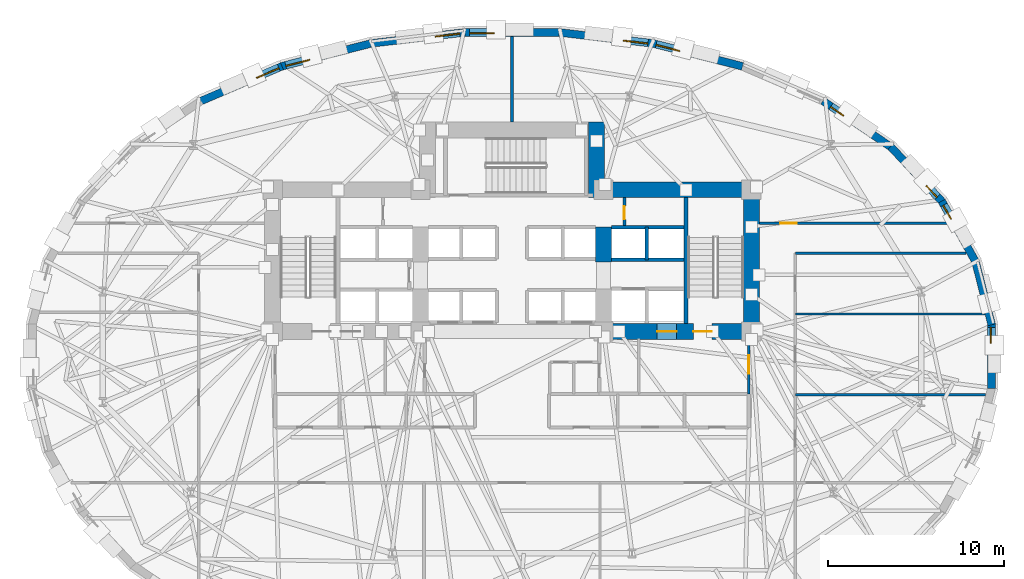
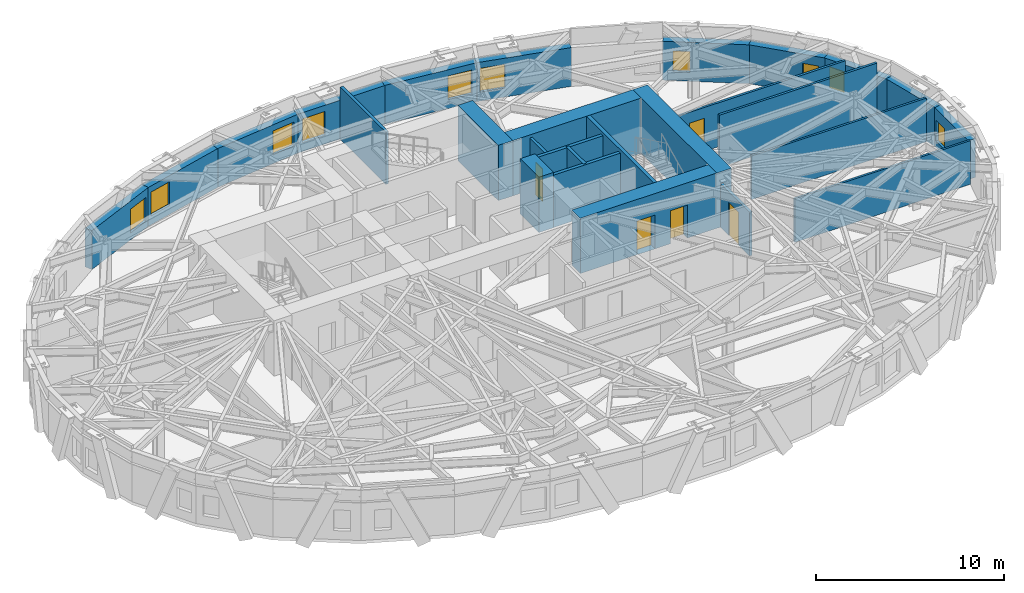
# One storey, part 9 of 14: 27 walls, 10 windows, 5 doors, 15 openings.
"""IFC4 building model written with IfcOpenShell, lengths in metres."""

from ifc_helpers import new_model, si_unit, direction, frame, frame_2d, origin, place, context, subcontext, project, spatial, rectangle, extrude, material, layer, layer_set, type_object, element, fill, save


model = new_model("IFC4")

# Units and contexts
model_context = context("Model", 3, precision=1e-05, world=origin(), true_north=direction((0.0, 1.0)))
body_context = subcontext(model_context, "Body", "Model", "MODEL_VIEW")
ifc_project = project(units=[si_unit("LENGTHUNIT", "METRE"), si_unit("AREAUNIT", "SQUARE_METRE"), si_unit("VOLUMEUNIT", "CUBIC_METRE"), si_unit("PLANEANGLEUNIT", "RADIAN"), si_unit("MASSUNIT", "GRAM", prefix="KILO")], contexts=[model_context])

# Site, building, storey
site_placement = place(None, origin())
site = spatial("IfcSite", under=ifc_project, at=site_placement, CompositionType="ELEMENT")
building_placement = place(site_placement, origin())
building = spatial("IfcBuilding", under=site, at=building_placement, Name="Keldmark Tower", CompositionType="ELEMENT")
storey_placement = place(building_placement, frame((0.0, 0.0, 41.39990234375)))
storey = spatial("IfcBuildingStorey", under=building, at=storey_placement, Name="L10", CompositionType="ELEMENT", Elevation=41.39990234375)

# Wall, opening, door
ifc_material_1 = material(Name="Acoustic Double-Layer Gypsum Corridor Partition", Category="gypsum")
ifc_layer_1 = layer(ifc_material_1, 0.139892578125)
ifc_layer_set_1 = layer_set([ifc_layer_1], Name="Acoustic Double-Layer Gypsum Corridor Partition")
wall_type_1 = type_object("IfcWallType", Name="Acoustic Corridor Partition 140 mm", PredefinedType="PARTITIONING", material=ifc_layer_set_1)
wall_1_placement = place(storey_placement, frame((14.050048828125, 7.550048828125, 0.0), z_axis=(0.0, 0.0, 1.0), x_axis=(1.0, 0.0, 0.0)))
wall_1 = element("IfcWall", 1, at=wall_1_placement, inside=storey, type_object=wall_type_1, Name="L10 Acoustic Corridor Partition 140 mm COR-EN-CAP", PredefinedType="PARTITIONING", context=body_context, shape_type="SweptSolid", body=[
    extrude(rectangle(XDim=10.805908203125, YDim=0.139892578125, at=frame_2d((5.40283203125, 0.0))), origin(), (0.0, 0.0, 1.0), 2.85302734375),
])
opening_1_placement = place(wall_1_placement, frame((1.199951171875, 0.0, 0.0)))
opening_1 = element("IfcOpeningElement", 2, at=opening_1_placement, cuts=wall_1, Name="Opening D-EX092", PredefinedType="OPENING", context=body_context, shape_type="SweptSolid", body=[
    extrude(rectangle(XDim=0.919921875, YDim=2.14990234375, at=frame_2d((0.4599609375, 1.074951171875))), frame((0.0, 0.079833984375, 0.0), z_axis=(0.0, -1.0, 0.0), x_axis=(1.0, 0.0, 0.0)), (0.0, 0.0, 1.0), 0.159912109375),
])
ifc_material_2 = material(Name="Flush American Ash Executive Office Door", Category="wood")
door_type_1 = type_object("IfcDoorType", Name="Executive Office Door 920x2150", OperationType="NOTDEFINED", PredefinedType="DOOR", material=ifc_material_2)
door_1_placement = place(opening_1_placement, origin())
door_1 = element("IfcDoor", 3, at=door_1_placement, inside=storey, type_object=door_type_1, Name="L10 Executive Office Door 920x2150 D-NRNE-L10", OperationType="SINGLE_SWING_RIGHT", OverallHeight=2.14990234375, OverallWidth=0.919921875, PredefinedType="DOOR", context=body_context, shape_type="SweptSolid", body=[
    extrude(rectangle(XDim=0.919921875, YDim=2.14990234375, at=frame_2d((0.4599609375, 1.074951171875))), frame((0.0, 0.02490234375, 0.0), z_axis=(0.0, -1.0, 0.0), x_axis=(1.0, 0.0, 0.0)), (0.0, 0.0, 1.0), 0.050048828125),
])
fill(opening_1, door_1)

# Walls
wall_2_placement = place(storey_placement, frame((16.10009765625, 5.85009765625, 0.0), z_axis=(0.0, 0.0, 1.0), x_axis=(1.0, 0.0, 0.0)))
element("IfcWall", 4, at=wall_2_placement, inside=storey, type_object=wall_type_1, Name="L10 Acoustic Corridor Partition 140 mm COR-EA-S", PredefinedType="PARTITIONING", context=body_context, shape_type="SweptSolid", body=[
    extrude(rectangle(XDim=9.70458984375, YDim=0.139892578125, at=frame_2d((4.852294921875, 0.0))), origin(), (0.0, 0.0, 1.0), 3.400146484375),
])
ifc_material_3 = material(Name="STC-58 Insulated Tenant Demising Gypsum Partition", Category="gypsum")
ifc_layer_2 = layer(ifc_material_3, 0.175048828125)
ifc_layer_set_2 = layer_set([ifc_layer_2], Name="STC-58 Insulated Tenant Demising Gypsum Partition")
wall_type_2 = type_object("IfcWallType", Name="Demising Suite Partition 175 mm", PredefinedType="PARTITIONING", material=ifc_layer_set_2)
wall_3_placement = place(storey_placement, frame((0.0, 13.300048828125, 0.0), z_axis=(0.0, 0.0, 1.0), x_axis=(0.0, 1.0, 0.0)))
element("IfcWall", 5, at=wall_3_placement, inside=storey, type_object=wall_type_2, Name="L10 Demising Suite Partition 175 mm N-MID-DIV", PredefinedType="PARTITIONING", context=body_context, shape_type="SweptSolid", body=[
    extrude(rectangle(XDim=4.863037109375, YDim=0.175048828125, at=frame_2d((2.431640625, 0.0))), origin(), (0.0, 0.0, 1.0), 3.400146484375),
])
ifc_material_4 = material(Name="Acoustic Gypsum Board Interior Partition", Category="gypsum")
ifc_layer_3 = layer(ifc_material_4, 0.1298828125)
ifc_layer_set_3 = layer_set([ifc_layer_3], Name="Acoustic Gypsum Board Interior Partition")
wall_type_3 = type_object("IfcWallType", Name="Interior Partition 130 mm", PredefinedType="PARTITIONING", material=ifc_layer_set_3)
wall_4_placement = place(storey_placement, frame((16.10009765625, -2.199951171875, 0.0), z_axis=(0.0, 0.0, 1.0), x_axis=(1.0, 0.0, 0.0)))
element("IfcWall", 6, at=wall_4_placement, inside=storey, type_object=wall_type_3, Name="L10 Interior Partition 130 mm E-DIV-1", PredefinedType="PARTITIONING", context=body_context, shape_type="SweptSolid", body=[
    extrude(rectangle(XDim=10.809326171875, YDim=0.1298828125, at=frame_2d((5.40478515625, 0.0))), origin(), (0.0, 0.0, 1.0), 2.841064453125),
])
wall_5_placement = place(storey_placement, frame((16.10009765625, 2.39990234375, 0.0), z_axis=(0.0, 0.0, 1.0), x_axis=(1.0, 0.0, 0.0)))
element("IfcWall", 7, at=wall_5_placement, inside=storey, type_object=wall_type_3, Name="L10 Interior Partition 130 mm E-DIV-2", PredefinedType="PARTITIONING", context=body_context, shape_type="SweptSolid", body=[
    extrude(rectangle(XDim=10.758056640625, YDim=0.1298828125, at=frame_2d((5.37890625, 0.0))), origin(), (0.0, 0.0, 1.0), 2.841064453125),
])
ifc_material_5 = material(Name="Concrete C70/85", Category="concrete")
ifc_layer_4 = layer(ifc_material_5, 0.89990234375)
ifc_layer_set_4 = layer_set([ifc_layer_4], Name="Concrete C70/85")
wall_type_4 = type_object("IfcWallType", Name="Lower Core Shear Wall 900 mm", PredefinedType="SHEAR", material=ifc_layer_set_4)
wall_6_placement = place(storey_placement, frame((13.60009765625, 0.949951171875, 0.0), z_axis=(0.0, 0.0, 1.0), x_axis=(0.0, 1.0, 0.0)))
element("IfcWall", 8, at=wall_6_placement, inside=storey, type_object=wall_type_4, Name="L10 East Core Outer Shear Wall", PredefinedType="SHEAR", context=body_context, shape_type="SweptSolid", body=[
    extrude(rectangle(XDim=8.949951171875, YDim=0.89990234375, at=frame_2d((4.47509765625, 0.0))), origin(), (0.0, 0.0, 1.0), 3.60009765625),
])
wall_7_placement = place(storey_placement, frame((4.35009765625, 9.449951171875, 0.0), z_axis=(0.0, 0.0, 1.0), x_axis=(1.0, 0.0, 0.0)))
element("IfcWall", 9, at=wall_7_placement, inside=storey, type_object=wall_type_4, Name="L10 East Core North Shear Wall", PredefinedType="SHEAR", context=body_context, shape_type="SweptSolid", body=[
    extrude(rectangle(XDim=9.699951171875, YDim=0.89990234375, at=frame_2d((4.85009765625, 0.0))), origin(), (0.0, 0.0, 1.0), 3.60009765625),
])

# Wall, openings, doors
wall_8_placement = place(storey_placement, frame((14.050048828125, 1.39990234375, 0.0), z_axis=(0.0, 0.0, 1.0), x_axis=(-1.0, 0.0, 0.0)))
wall_8 = element("IfcWall", 10, at=wall_8_placement, inside=storey, type_object=wall_type_4, Name="L10 East Core South Shear Wall", PredefinedType="SHEAR", context=body_context, shape_type="SweptSolid", body=[
    extrude(rectangle(XDim=9.300048828125, YDim=0.89990234375, at=frame_2d((4.64990234375, 0.0))), origin(), (0.0, 0.0, 1.0), 3.60009765625),
])
opening_2_placement = place(wall_8_placement, frame((2.699951171875, 0.0, 0.0)))
opening_2 = element("IfcOpeningElement", 11, at=opening_2_placement, cuts=wall_8, Name="Opening D-ST105", PredefinedType="OPENING", context=body_context, shape_type="SweptSolid", body=[
    extrude(rectangle(XDim=1.050048828125, YDim=2.14990234375, at=frame_2d((0.52490234375, 1.074951171875))), frame((0.0, 0.4599609375, 0.0), z_axis=(0.0, -1.0, 0.0), x_axis=(1.0, 0.0, 0.0)), (0.0, 0.0, 1.0), 0.919921875),
])
opening_3_placement = place(wall_8_placement, frame((4.699951171875, 0.0, 0.0)))
opening_3 = element("IfcOpeningElement", 12, at=opening_3_placement, cuts=wall_8, Name="Opening LD-110", PredefinedType="OPENING", context=body_context, shape_type="SweptSolid", body=[
    extrude(rectangle(XDim=1.10009765625, YDim=2.199951171875, at=frame_2d((0.550048828125, 1.10009765625))), frame((0.0, 0.4599609375, 0.0), z_axis=(0.0, -1.0, 0.0), x_axis=(1.0, 0.0, 0.0)), (0.0, 0.0, 1.0), 0.919921875),
])
ifc_material_6 = material(Name="Brushed Bronze Hoistway Sliding Leaf", Category="metal")
door_type_2 = type_object("IfcDoorType", Name="Lift Landing Sliding Door 1100x2200", OperationType="SLIDING_TO_LEFT", PredefinedType="DOOR", material=ifc_material_6)
door_2_placement = place(opening_3_placement, origin())
door_2 = element("IfcDoor", 13, at=door_2_placement, inside=storey, type_object=door_type_2, Name="L10 Lift Landing Sliding Door 1100x2200 LD-EL-FS2-L10", OperationType="SLIDING_TO_LEFT", OverallHeight=2.199951171875, OverallWidth=1.10009765625, PredefinedType="DOOR", context=body_context, shape_type="SweptSolid", body=[
    extrude(rectangle(XDim=1.10009765625, YDim=2.199951171875, at=frame_2d((0.550048828125, 1.10009765625))), frame((0.0, 0.02490234375, 0.0), z_axis=(0.0, -1.0, 0.0), x_axis=(1.0, 0.0, 0.0)), (0.0, 0.0, 1.0), 0.050048828125),
])
fill(opening_3, door_2)
ifc_material_7 = material(Name="Hollow Metal Fire-Rated Door Assembly", Category="metal")
door_type_3 = type_object("IfcDoorType", Name="Stair Fire Door 1050x2150", OperationType="NOTDEFINED", PredefinedType="DOOR", material=ifc_material_7)
door_3_placement = place(opening_2_placement, origin())
door_3 = element("IfcDoor", 14, at=door_3_placement, inside=storey, type_object=door_type_3, Name="L10 Stair Fire Door 1050x2150 D-ST2-L10", OperationType="SINGLE_SWING_LEFT", OverallHeight=2.14990234375, OverallWidth=1.050048828125, PredefinedType="DOOR", context=body_context, shape_type="SweptSolid", body=[
    extrude(rectangle(XDim=1.050048828125, YDim=2.14990234375, at=frame_2d((0.52490234375, 1.074951171875))), frame((0.0, 0.02490234375, 0.0), z_axis=(0.0, -1.0, 0.0), x_axis=(1.0, 0.0, 0.0)), (0.0, 0.0, 1.0), 0.050048828125),
])
fill(opening_2, door_3)

# Walls
wall_9_placement = place(storey_placement, frame((5.199951171875, 5.35009765625, 0.0), z_axis=(0.0, 0.0, 1.0), x_axis=(0.0, 1.0, 0.0)))
element("IfcWall", 15, at=wall_9_placement, inside=storey, type_object=wall_type_4, Name="L10 East Core Inner Shear Pier North", PredefinedType="SHEAR", context=body_context, shape_type="SweptSolid", body=[
    extrude(rectangle(XDim=2.0, YDim=0.89990234375, at=frame_2d((1.0, 0.0))), origin(), (0.0, 0.0, 1.0), 3.60009765625),
])
wall_10_placement = place(storey_placement, frame((4.800048828125, 9.0, 0.0), z_axis=(0.0, 0.0, 1.0), x_axis=(0.0, 1.0, 0.0)))
element("IfcWall", 16, at=wall_10_placement, inside=storey, type_object=wall_type_4, Name="L10 North Core East Shear Wall", PredefinedType="SHEAR", context=body_context, shape_type="SweptSolid", body=[
    extrude(rectangle(XDim=4.300048828125, YDim=0.89990234375, at=frame_2d((2.14990234375, 0.0))), origin(), (0.0, 0.0, 1.0), 3.60009765625),
])

# Wall, opening, door
ifc_material_8 = material(Name="Type X Fire-Rated Gypsum Partition Assembly", Category="gypsum")
ifc_layer_5 = layer(ifc_material_8, 0.1650390625)
ifc_layer_set_5 = layer_set([ifc_layer_5], Name="Type X Fire-Rated Gypsum Partition Assembly")
wall_type_5 = type_object("IfcWallType", Name="Rated Partition 165 mm", PredefinedType="PARTITIONING", material=ifc_layer_set_5)
wall_11_placement = place(storey_placement, frame((13.449951171875, -2.14990234375, 0.0), z_axis=(0.0, 0.0, 1.0), x_axis=(0.0, 1.0, 0.0)))
wall_11 = element("IfcWall", 17, at=wall_11_placement, inside=storey, type_object=wall_type_5, Name="L10 Rated Partition 165 mm FSAE-E-E", PredefinedType="PARTITIONING", context=body_context, shape_type="SweptSolid", body=[
    extrude(rectangle(XDim=3.14990234375, YDim=0.1650390625, at=frame_2d((1.574951171875, 0.0))), origin(), (0.0, 0.0, 1.0), 2.85302734375),
])
opening_4_placement = place(wall_11_placement, frame((1.14990234375, 0.0, 0.0)))
opening_4 = element("IfcOpeningElement", 18, at=opening_4_placement, cuts=wall_11, Name="Opening D-FL105", PredefinedType="OPENING", context=body_context, shape_type="SweptSolid", body=[
    extrude(rectangle(XDim=1.050048828125, YDim=2.14990234375, at=frame_2d((0.52490234375, 1.074951171875))), frame((0.0, 0.092529296875, 0.0), z_axis=(0.0, -1.0, 0.0), x_axis=(1.0, 0.0, 0.0)), (0.0, 0.0, 1.0), 0.18505859375),
])
ifc_material_9 = material(Name="Fire-Rated Mineral-Core Door and Vision Lite", Category="metal")
door_type_4 = type_object("IfcDoorType", Name="Fire Lobby Door 1050x2150", OperationType="NOTDEFINED", PredefinedType="DOOR", material=ifc_material_9)
door_4_placement = place(opening_4_placement, origin())
door_4 = element("IfcDoor", 19, at=door_4_placement, inside=storey, type_object=door_type_4, Name="L10 Fire Lobby Door 1050x2150 D-FSAEE-OUT-L10", OperationType="SINGLE_SWING_LEFT", OverallHeight=2.14990234375, OverallWidth=1.050048828125, PredefinedType="DOOR", context=body_context, shape_type="SweptSolid", body=[
    extrude(rectangle(XDim=1.050048828125, YDim=2.14990234375, at=frame_2d((0.52490234375, 1.074951171875))), frame((0.0, 0.02490234375, 0.0), z_axis=(0.0, -1.0, 0.0), x_axis=(1.0, 0.0, 0.0)), (0.0, 0.0, 1.0), 0.050048828125),
])
fill(opening_4, door_4)

wall_12_placement = place(storey_placement, frame((6.3798828125, 7.419921875, 0.0), z_axis=(0.0, 0.0, 1.0), x_axis=(0.0, 1.0, 0.0)))
wall_12 = element("IfcWall", 20, at=wall_12_placement, inside=storey, type_object=wall_type_5, Name="L10 Rated Partition 165 mm CS-NE-W", PredefinedType="PARTITIONING", context=body_context, shape_type="SweptSolid", body=[
    extrude(rectangle(XDim=1.580078125, YDim=0.1650390625, at=frame_2d((0.7900390625, 0.0))), origin(), (0.0, 0.0, 1.0), 3.400146484375),
])
opening_5_placement = place(wall_12_placement, frame((0.35009765625, 0.0, 0.0)))
opening_5 = element("IfcOpeningElement", 21, at=opening_5_placement, cuts=wall_12, Name="Opening D-RS075", PredefinedType="OPENING", context=body_context, shape_type="SweptSolid", body=[
    extrude(rectangle(XDim=0.75, YDim=2.10009765625, at=frame_2d((0.375, 1.050048828125))), frame((0.0, 0.092529296875, 0.0), z_axis=(0.0, -1.0, 0.0), x_axis=(1.0, 0.0, 0.0)), (0.0, 0.0, 1.0), 0.18505859375),
])
ifc_material_10 = material(Name="Galvanized Fire-Rated Access Leaf", Category="metal")
door_type_5 = type_object("IfcDoorType", Name="Riser Access Door 750x2100", OperationType="NOTDEFINED", PredefinedType="DOOR", material=ifc_material_10)
door_5_placement = place(opening_5_placement, origin())
door_5 = element("IfcDoor", 22, at=door_5_placement, inside=storey, type_object=door_type_5, Name="L10 Riser Access Door 750x2100 D-CSNE1-L10", OperationType="SINGLE_SWING_LEFT", OverallHeight=2.10009765625, OverallWidth=0.75, PredefinedType="DOOR", context=body_context, shape_type="SweptSolid", body=[
    extrude(rectangle(XDim=0.75, YDim=2.10009765625, at=frame_2d((0.375, 1.050048828125))), frame((0.0, 0.02490234375, 0.0), z_axis=(0.0, -1.0, 0.0), x_axis=(1.0, 0.0, 0.0)), (0.0, 0.0, 1.0), 0.050048828125),
])
fill(opening_5, door_5)

# Walls
ifc_material_11 = material(Name="Fire-Resistant Type X Gypsum Shaftliner Coreboard", Category="gypsum")
ifc_layer_6 = layer(ifc_material_11, 0.199951171875)
ifc_layer_set_6 = layer_set([ifc_layer_6], Name="Fire-Resistant Type X Gypsum Shaftliner Coreboard")
wall_type_6 = type_object("IfcWallType", Name="Shaft Wall 200 mm", PredefinedType="SOLIDWALL", material=ifc_layer_set_6)
for number, where, z_axis, x_axis, name in (
    (23, (5.64990234375, 5.469970703125, 0.0), (0.0, 0.0, 1.0), (1.0, 0.0, 0.0), "L10 Shaft Wall 200 mm HW-E-N"),
    (24, (5.64990234375, 7.330078125, 0.0), (0.0, 0.0, 1.0), (1.0, 0.0, 0.0), "L10 Shaft Wall 200 mm HW-E-TOP"),
):
    element("IfcWall", number, at=place(storey_placement, frame(where, z_axis=z_axis, x_axis=x_axis)), inside=storey, type_object=wall_type_6, Name=name, PredefinedType="SOLIDWALL", context=body_context, shape_type="SweptSolid", body=[
        extrude(rectangle(XDim=4.130126953125, YDim=0.199951171875, at=frame_2d((2.06494140625, 0.0))), origin(), (0.0, 0.0, 1.0), 3.400146484375),
    ])
wall_13_placement = place(storey_placement, frame((7.64990234375, 5.469970703125, 0.0), z_axis=(0.0, 0.0, 1.0), x_axis=(0.0, 1.0, 0.0)))
element("IfcWall", 25, at=wall_13_placement, inside=storey, type_object=wall_type_6, Name="L10 Shaft Wall 200 mm HW-E-NM", PredefinedType="SOLIDWALL", context=body_context, shape_type="SweptSolid", body=[
    extrude(rectangle(XDim=1.860107421875, YDim=0.199951171875, at=frame_2d((0.93017578125, 0.0))), origin(), (0.0, 0.0, 1.0), 3.400146484375),
])
ifc_material_12 = material(Name="Concrete C50/60", Category="concrete")
ifc_layer_7 = layer(ifc_material_12, 0.219970703125)
ifc_layer_set_7 = layer_set([ifc_layer_7], Name="Concrete C50/60")
wall_type_7 = type_object("IfcWallType", Name="Stair Core Shear Wall 220 mm", PredefinedType="SHEAR", material=ifc_layer_set_7)
wall_14_placement = place(storey_placement, frame((9.889892578125, 1.85009765625, 0.0), z_axis=(0.0, 0.0, 1.0), x_axis=(0.0, 1.0, 0.0)))
element("IfcWall", 26, at=wall_14_placement, inside=storey, type_object=wall_type_7, Name="L10 East Stair Core Shear Wall", PredefinedType="SHEAR", context=body_context, shape_type="SweptSolid", body=[
    extrude(rectangle(XDim=7.14990234375, YDim=0.219970703125, at=frame_2d((3.574951171875, 0.0))), origin(), (0.0, 0.0, 1.0), 3.60009765625),
])
ifc_material_13 = material(Name="Ironspot Manganese Brick and Kasota Buff Limestone Spandrel Assembly", Category="masonry")
ifc_layer_8 = layer(ifc_material_13, 0.43994140625)
ifc_layer_set_8 = layer_set([ifc_layer_8], Name="Ironspot Manganese Brick and Kasota Buff Limestone Spandrel Assembly")
wall_type_8 = type_object("IfcWallType", Name="Tower Brick Pier and Spandrel Wall 440 mm", PredefinedType="STANDARD", material=ifc_layer_set_8)
wall_15_placement = place(storey_placement, frame((26.3251953125, 5.400390625, 0.0), z_axis=(0.0, 0.0, 1.0), x_axis=(0.248062710061, -0.968743976434, 0.0)))
element("IfcWall", 27, at=wall_15_placement, inside=storey, type_object=wall_type_8, Name="L10 Exterior Brick and Spandrel Wall 01", PredefinedType="STANDARD", context=body_context, shape_type="SweptSolid", body=[
    extrude(rectangle(XDim=3.739013671875, YDim=0.43994140625, at=frame_2d((1.86962890625, 0.0))), origin(), (0.0, 0.0, 1.0), 2.529052734375),
])

# Wall, opening, window
wall_16_placement = place(storey_placement, frame((24.416259765625, 8.8056640625, 0.0), z_axis=(0.0, 0.0, 1.0), x_axis=(0.487369438963, -0.873195871477, 0.0)))
wall_16 = element("IfcWall", 28, at=wall_16_placement, inside=storey, type_object=wall_type_8, Name="L10 Exterior Brick and Spandrel Wall 02", PredefinedType="STANDARD", context=body_context, shape_type="SweptSolid", body=[
    extrude(rectangle(XDim=3.9599609375, YDim=0.43994140625, at=frame_2d((1.97998046875, 0.0))), origin(), (0.0, 0.0, 1.0), 2.529052734375),
])
opening_6_placement = place(wall_16_placement, frame((0.249267578125, 0.0, 0.580078125)))
opening_6 = element("IfcOpeningElement", 29, at=opening_6_placement, cuts=wall_16, Name="Opening W-09", PredefinedType="OPENING", context=body_context, shape_type="SweptSolid", body=[
    extrude(rectangle(XDim=0.89990234375, YDim=1.35009765625, at=frame_2d((0.449951171875, 0.675048828125))), frame((0.0, 0.22998046875, 0.0), z_axis=(0.0, -1.0, 0.0), x_axis=(1.0, 0.0, 0.0)), (0.0, 0.0, 1.0), 0.4599609375),
])
ifc_material_14 = material(Name="Thermally Broken Anodized Aluminum and Triple Low-E Argon Glazing", Category="aluminium")
window_type_1 = type_object("IfcWindowType", Name="Corner Pier Deep-Set Window 900x1350", PartitioningType="SINGLE_PANEL", PredefinedType="WINDOW", material=ifc_material_14)
window_1_placement = place(opening_6_placement, origin())
window_1 = element("IfcWindow", 30, at=window_1_placement, inside=storey, type_object=window_type_1, Name="L10 Deep-Set Window 02", OverallHeight=1.35009765625, OverallWidth=0.89990234375, PartitioningType="SINGLE_PANEL", PredefinedType="WINDOW", context=body_context, shape_type="SweptSolid", body=[
    extrude(rectangle(XDim=0.89990234375, YDim=1.35009765625, at=frame_2d((0.449951171875, 0.675048828125))), frame((0.0, -0.010009765625, 0.0), z_axis=(0.0, -1.0, 0.0), x_axis=(1.0, 0.0, 0.0)), (0.0, 0.0, 1.0), 0.06005859375),
])
fill(opening_6, window_1)

wall_17_placement = place(storey_placement, frame((21.51220703125, 11.902099609375, 0.0), z_axis=(0.0, 0.0, 1.0), x_axis=(0.68299392258, -0.730424056093, 0.0)))
wall_17 = element("IfcWall", 31, at=wall_17_placement, inside=storey, type_object=wall_type_8, Name="L10 Exterior Brick and Spandrel Wall 03", PredefinedType="STANDARD", context=body_context, shape_type="SweptSolid", body=[
    extrude(rectangle(XDim=4.298095703125, YDim=0.43994140625, at=frame_2d((2.14892578125, 0.0))), origin(), (0.0, 0.0, 1.0), 2.529052734375),
])
opening_7_placement = place(wall_17_placement, frame((2.998291015625, 0.0, 0.580078125)))
opening_7 = element("IfcOpeningElement", 32, at=opening_7_placement, cuts=wall_17, Name="Opening W-09", PredefinedType="OPENING", context=body_context, shape_type="SweptSolid", body=[
    extrude(rectangle(XDim=0.89990234375, YDim=1.35009765625, at=frame_2d((0.449951171875, 0.675048828125))), frame((0.0, 0.22998046875, 0.0), z_axis=(0.0, -1.0, 0.0), x_axis=(1.0, 0.0, 0.0)), (0.0, 0.0, 1.0), 0.4599609375),
])
window_2_placement = place(opening_7_placement, origin())
window_2 = element("IfcWindow", 33, at=window_2_placement, inside=storey, type_object=window_type_1, Name="L10 Deep-Set Window 03", OverallHeight=1.35009765625, OverallWidth=0.89990234375, PartitioningType="SINGLE_PANEL", PredefinedType="WINDOW", context=body_context, shape_type="SweptSolid", body=[
    extrude(rectangle(XDim=0.89990234375, YDim=1.35009765625, at=frame_2d((0.449951171875, 0.675048828125))), frame((0.0, -0.010009765625, 0.0), z_axis=(0.0, -1.0, 0.0), x_axis=(1.0, 0.0, 0.0)), (0.0, 0.0, 1.0), 0.06005859375),
])
fill(opening_7, window_2)

wall_18_placement = place(storey_placement, frame((17.6630859375, 14.503662109375, 0.0), z_axis=(0.0, 0.0, 1.0), x_axis=(0.827825981515, -0.560984976919, 0.0)))
wall_18 = element("IfcWall", 34, at=wall_18_placement, inside=storey, type_object=wall_type_8, Name="L10 Exterior Brick and Spandrel Wall 04", PredefinedType="STANDARD", context=body_context, shape_type="SweptSolid", body=[
    extrude(rectangle(XDim=4.694580078125, YDim=0.43994140625, at=frame_2d((2.34716796875, 0.0))), origin(), (0.0, 0.0, 1.0), 2.529052734375),
])
opening_8_placement = place(wall_18_placement, frame((0.54931640625, 0.0, 0.580078125)))
opening_8 = element("IfcOpeningElement", 35, at=opening_8_placement, cuts=wall_18, Name="Opening W-09", PredefinedType="OPENING", context=body_context, shape_type="SweptSolid", body=[
    extrude(rectangle(XDim=0.89990234375, YDim=1.35009765625, at=frame_2d((0.449951171875, 0.675048828125))), frame((0.0, 0.22998046875, 0.0), z_axis=(0.0, -1.0, 0.0), x_axis=(1.0, 0.0, 0.0)), (0.0, 0.0, 1.0), 0.4599609375),
])
window_3_placement = place(opening_8_placement, origin())
window_3 = element("IfcWindow", 36, at=window_3_placement, inside=storey, type_object=window_type_1, Name="L10 Deep-Set Window 04", OverallHeight=1.35009765625, OverallWidth=0.89990234375, PartitioningType="SINGLE_PANEL", PredefinedType="WINDOW", context=body_context, shape_type="SweptSolid", body=[
    extrude(rectangle(XDim=0.89990234375, YDim=1.35009765625, at=frame_2d((0.449951171875, 0.675048828125))), frame((0.0, -0.010009765625, 0.0), z_axis=(0.0, -1.0, 0.0), x_axis=(1.0, 0.0, 0.0)), (0.0, 0.0, 1.0), 0.06005859375),
])
fill(opening_8, window_3)

wall_19_placement = place(storey_placement, frame((7.99560546875, 17.76953125, 0.0), z_axis=(0.0, 0.0, 1.0), x_axis=(0.968705592422, -0.248212560542, 0.0)))
wall_19 = element("IfcWall", 37, at=wall_19_placement, inside=storey, type_object=wall_type_8, Name="L10 Exterior Brick and Spandrel Wall 06", PredefinedType="STANDARD", context=body_context, shape_type="SweptSolid", body=[
    extrude(rectangle(XDim=5.26806640625, YDim=0.43994140625, at=frame_2d((2.634033203125, 0.0))), origin(), (0.0, 0.0, 1.0), 2.529052734375),
])
opening_9_placement = place(wall_19_placement, frame((0.199951171875, 0.0, 0.580078125)))
opening_9 = element("IfcOpeningElement", 38, at=opening_9_placement, cuts=wall_19, Name="Opening W-08", PredefinedType="OPENING", context=body_context, shape_type="SweptSolid", body=[
    extrude(rectangle(XDim=1.39990234375, YDim=1.550048828125, at=frame_2d((0.699951171875, 0.77490234375))), frame((0.0, 0.22998046875, 0.0), z_axis=(0.0, -1.0, 0.0), x_axis=(1.0, 0.0, 0.0)), (0.0, 0.0, 1.0), 0.4599609375),
])
ifc_material_15 = material(Name="Thermally Broken Anodized Aluminum and Triple Low-E Argon Glazing", Category="aluminium")
window_type_2 = type_object("IfcWindowType", Name="Residential Corner Punched Window 1400x1550", PartitioningType="SINGLE_PANEL", PredefinedType="WINDOW", material=ifc_material_15)
window_4_placement = place(opening_9_placement, origin())
window_4 = element("IfcWindow", 39, at=window_4_placement, inside=storey, type_object=window_type_2, Name="L10 Deep-Set Window 06", OverallHeight=1.550048828125, OverallWidth=1.39990234375, PartitioningType="SINGLE_PANEL", PredefinedType="WINDOW", context=body_context, shape_type="SweptSolid", body=[
    extrude(rectangle(XDim=1.39990234375, YDim=1.550048828125, at=frame_2d((0.699951171875, 0.77490234375))), frame((0.0, -0.010009765625, 0.0), z_axis=(0.0, -1.0, 0.0), x_axis=(1.0, 0.0, 0.0)), (0.0, 0.0, 1.0), 0.06005859375),
])
fill(opening_9, window_4)

wall_20_placement = place(storey_placement, frame((2.679443359375, 18.392578125, 0.0), z_axis=(0.0, 0.0, 1.0), x_axis=(0.993159890371, -0.116762289112, 0.0)))
wall_20 = element("IfcWall", 40, at=wall_20_placement, inside=storey, type_object=wall_type_8, Name="L10 Exterior Brick and Spandrel Wall 07", PredefinedType="STANDARD", context=body_context, shape_type="SweptSolid", body=[
    extrude(rectangle(XDim=5.382080078125, YDim=0.43994140625, at=frame_2d((2.69091796875, 0.0))), origin(), (0.0, 0.0, 1.0), 2.529052734375),
])
opening_10_placement = place(wall_20_placement, frame((3.682373046875, 0.0, 0.580078125)))
opening_10 = element("IfcOpeningElement", 41, at=opening_10_placement, cuts=wall_20, Name="Opening W-08", PredefinedType="OPENING", context=body_context, shape_type="SweptSolid", body=[
    extrude(rectangle(XDim=1.39990234375, YDim=1.550048828125, at=frame_2d((0.699951171875, 0.77490234375))), frame((0.0, 0.22998046875, 0.0), z_axis=(0.0, -1.0, 0.0), x_axis=(1.0, 0.0, 0.0)), (0.0, 0.0, 1.0), 0.4599609375),
])
window_5_placement = place(opening_10_placement, origin())
window_5 = element("IfcWindow", 42, at=window_5_placement, inside=storey, type_object=window_type_2, Name="L10 Deep-Set Window 07", OverallHeight=1.550048828125, OverallWidth=1.39990234375, PartitioningType="SINGLE_PANEL", PredefinedType="WINDOW", context=body_context, shape_type="SweptSolid", body=[
    extrude(rectangle(XDim=1.39990234375, YDim=1.550048828125, at=frame_2d((0.699951171875, 0.77490234375))), frame((0.0, -0.010009765625, 0.0), z_axis=(0.0, -1.0, 0.0), x_axis=(1.0, 0.0, 0.0)), (0.0, 0.0, 1.0), 0.06005859375),
])
fill(opening_10, window_5)

wall_21_placement = place(storey_placement, frame((-2.705078125, 18.39111328125, 0.0), z_axis=(0.0, 0.0, 1.0), x_axis=(1.0, 0.0, 0.0)))
wall_21 = element("IfcWall", 43, at=wall_21_placement, inside=storey, type_object=wall_type_8, Name="L10 Exterior Brick and Spandrel Wall 08", PredefinedType="STANDARD", context=body_context, shape_type="SweptSolid", body=[
    extrude(rectangle(XDim=5.41015625, YDim=0.43994140625, at=frame_2d((2.705078125, 0.0))), origin(), (0.0, 0.0, 1.0), 2.529052734375),
])
opening_11_placement = place(wall_21_placement, frame((0.298828125, 0.0, 0.580078125)))
opening_11 = element("IfcOpeningElement", 44, at=opening_11_placement, cuts=wall_21, Name="Opening W-08", PredefinedType="OPENING", context=body_context, shape_type="SweptSolid", body=[
    extrude(rectangle(XDim=1.39990234375, YDim=1.550048828125, at=frame_2d((0.699951171875, 0.77490234375))), frame((0.0, 0.22998046875, 0.0), z_axis=(0.0, -1.0, 0.0), x_axis=(1.0, 0.0, 0.0)), (0.0, 0.0, 1.0), 0.4599609375),
])
window_6_placement = place(opening_11_placement, origin())
window_6 = element("IfcWindow", 45, at=window_6_placement, inside=storey, type_object=window_type_2, Name="L10 Deep-Set Window 08", OverallHeight=1.550048828125, OverallWidth=1.39990234375, PartitioningType="SINGLE_PANEL", PredefinedType="WINDOW", context=body_context, shape_type="SweptSolid", body=[
    extrude(rectangle(XDim=1.39990234375, YDim=1.550048828125, at=frame_2d((0.699951171875, 0.77490234375))), frame((0.0, -0.010009765625, 0.0), z_axis=(0.0, -1.0, 0.0), x_axis=(1.0, 0.0, 0.0)), (0.0, 0.0, 1.0), 0.06005859375),
])
fill(opening_11, window_6)

wall_22_placement = place(storey_placement, frame((-8.024658203125, 17.76416015625, 0.0), z_axis=(0.0, 0.0, 1.0), x_axis=(0.993159890371, 0.116762289112, 0.0)))
wall_22 = element("IfcWall", 46, at=wall_22_placement, inside=storey, type_object=wall_type_8, Name="L10 Exterior Brick and Spandrel Wall 09", PredefinedType="STANDARD", context=body_context, shape_type="SweptSolid", body=[
    extrude(rectangle(XDim=5.382080078125, YDim=0.43994140625, at=frame_2d((2.69091796875, 0.0))), origin(), (0.0, 0.0, 1.0), 2.529052734375),
])
opening_12_placement = place(wall_22_placement, frame((3.682373046875, 0.0, 0.580078125)))
opening_12 = element("IfcOpeningElement", 47, at=opening_12_placement, cuts=wall_22, Name="Opening W-08", PredefinedType="OPENING", context=body_context, shape_type="SweptSolid", body=[
    extrude(rectangle(XDim=1.39990234375, YDim=1.550048828125, at=frame_2d((0.699951171875, 0.77490234375))), frame((0.0, 0.22998046875, 0.0), z_axis=(0.0, -1.0, 0.0), x_axis=(1.0, 0.0, 0.0)), (0.0, 0.0, 1.0), 0.4599609375),
])
window_7_placement = place(opening_12_placement, origin())
window_7 = element("IfcWindow", 48, at=window_7_placement, inside=storey, type_object=window_type_2, Name="L10 Deep-Set Window 09", OverallHeight=1.550048828125, OverallWidth=1.39990234375, PartitioningType="SINGLE_PANEL", PredefinedType="WINDOW", context=body_context, shape_type="SweptSolid", body=[
    extrude(rectangle(XDim=1.39990234375, YDim=1.550048828125, at=frame_2d((0.699951171875, 0.77490234375))), frame((0.0, -0.010009765625, 0.0), z_axis=(0.0, -1.0, 0.0), x_axis=(1.0, 0.0, 0.0)), (0.0, 0.0, 1.0), 0.06005859375),
])
fill(opening_12, window_7)

wall_23_placement = place(storey_placement, frame((-13.098876953125, 16.4619140625, 0.0), z_axis=(0.0, 0.0, 1.0), x_axis=(0.968705592422, 0.248212560542, 0.0)))
wall_23 = element("IfcWall", 49, at=wall_23_placement, inside=storey, type_object=wall_type_8, Name="L10 Exterior Brick and Spandrel Wall 10", PredefinedType="STANDARD", context=body_context, shape_type="SweptSolid", body=[
    extrude(rectangle(XDim=5.26806640625, YDim=0.43994140625, at=frame_2d((2.634033203125, 0.0))), origin(), (0.0, 0.0, 1.0), 2.529052734375),
])
opening_13_placement = place(wall_23_placement, frame((0.24951171875, 0.0, 0.580078125)))
opening_13 = element("IfcOpeningElement", 50, at=opening_13_placement, cuts=wall_23, Name="Opening W-08", PredefinedType="OPENING", context=body_context, shape_type="SweptSolid", body=[
    extrude(rectangle(XDim=1.39990234375, YDim=1.550048828125, at=frame_2d((0.699951171875, 0.77490234375))), frame((0.0, 0.22998046875, 0.0), z_axis=(0.0, -1.0, 0.0), x_axis=(1.0, 0.0, 0.0)), (0.0, 0.0, 1.0), 0.4599609375),
])
window_8_placement = place(opening_13_placement, origin())
window_8 = element("IfcWindow", 51, at=window_8_placement, inside=storey, type_object=window_type_2, Name="L10 Deep-Set Window 10", OverallHeight=1.550048828125, OverallWidth=1.39990234375, PartitioningType="SINGLE_PANEL", PredefinedType="WINDOW", context=body_context, shape_type="SweptSolid", body=[
    extrude(rectangle(XDim=1.39990234375, YDim=1.550048828125, at=frame_2d((0.699951171875, 0.77490234375))), frame((0.0, -0.010009765625, 0.0), z_axis=(0.0, -1.0, 0.0), x_axis=(1.0, 0.0, 0.0)), (0.0, 0.0, 1.0), 0.06005859375),
])
fill(opening_13, window_8)

wall_24_placement = place(storey_placement, frame((-17.69970703125, 14.4833984375, 0.0), z_axis=(0.0, 0.0, 1.0), x_axis=(0.918881850071, 0.394532819433, 0.0)))
wall_24 = element("IfcWall", 52, at=wall_24_placement, inside=storey, type_object=wall_type_8, Name="L10 Exterior Brick and Spandrel Wall 11", PredefinedType="STANDARD", context=body_context, shape_type="SweptSolid", body=[
    extrude(rectangle(XDim=5.0419921875, YDim=0.43994140625, at=frame_2d((2.52099609375, 0.0))), origin(), (0.0, 0.0, 1.0), 2.529052734375),
])
opening_14_placement = place(wall_24_placement, frame((3.44189453125, 0.0, 0.449951171875)))
opening_14 = element("IfcOpeningElement", 53, at=opening_14_placement, cuts=wall_24, Name="Opening W-08", PredefinedType="OPENING", context=body_context, shape_type="SweptSolid", body=[
    extrude(rectangle(XDim=1.39990234375, YDim=1.550048828125, at=frame_2d((0.699951171875, 0.77490234375))), frame((0.0, 0.22998046875, 0.0), z_axis=(0.0, -1.0, 0.0), x_axis=(1.0, 0.0, 0.0)), (0.0, 0.0, 1.0), 0.4599609375),
])
window_9_placement = place(opening_14_placement, origin())
window_9 = element("IfcWindow", 54, at=window_9_placement, inside=storey, type_object=window_type_2, Name="L10 Deep-Set Window 11", OverallHeight=1.550048828125, OverallWidth=1.39990234375, PartitioningType="SINGLE_PANEL", PredefinedType="WINDOW", context=body_context, shape_type="SweptSolid", body=[
    extrude(rectangle(XDim=1.39990234375, YDim=1.550048828125, at=frame_2d((0.699951171875, 0.77490234375))), frame((0.0, -0.010009765625, 0.0), z_axis=(0.0, -1.0, 0.0), x_axis=(1.0, 0.0, 0.0)), (0.0, 0.0, 1.0), 0.06005859375),
])
fill(opening_14, window_9)

wall_25_placement = place(storey_placement, frame((27.245849609375, 1.8330078125, 0.0), z_axis=(0.0, 0.0, 1.0), x_axis=(0.0, -1.0, 0.0)))
wall_25 = element("IfcWall", 55, at=wall_25_placement, inside=storey, type_object=wall_type_8, Name="L10 Exterior Brick and Spandrel Wall 32", PredefinedType="STANDARD", context=body_context, shape_type="SweptSolid", body=[
    extrude(rectangle(XDim=3.666015625, YDim=0.43994140625, at=frame_2d((1.8330078125, 0.0))), origin(), (0.0, 0.0, 1.0), 2.529052734375),
])
opening_15_placement = place(wall_25_placement, frame((0.199951171875, 0.0, 0.419921875)))
opening_15 = element("IfcOpeningElement", 56, at=opening_15_placement, cuts=wall_25, Name="Opening W-09", PredefinedType="OPENING", context=body_context, shape_type="SweptSolid", body=[
    extrude(rectangle(XDim=0.89990234375, YDim=1.35009765625, at=frame_2d((0.449951171875, 0.675048828125))), frame((0.0, 0.22998046875, 0.0), z_axis=(0.0, -1.0, 0.0), x_axis=(1.0, 0.0, 0.0)), (0.0, 0.0, 1.0), 0.4599609375),
])
window_10_placement = place(opening_15_placement, origin())
window_10 = element("IfcWindow", 57, at=window_10_placement, inside=storey, type_object=window_type_1, Name="L10 Deep-Set Window 32", OverallHeight=1.35009765625, OverallWidth=0.89990234375, PartitioningType="SINGLE_PANEL", PredefinedType="WINDOW", context=body_context, shape_type="SweptSolid", body=[
    extrude(rectangle(XDim=0.89990234375, YDim=1.35009765625, at=frame_2d((0.449951171875, 0.675048828125))), frame((0.0, -0.010009765625, 0.0), z_axis=(0.0, -1.0, 0.0), x_axis=(1.0, 0.0, 0.0)), (0.0, 0.0, 1.0), 0.06005859375),
])
fill(opening_15, window_10)

save(model, "model.ifc")
